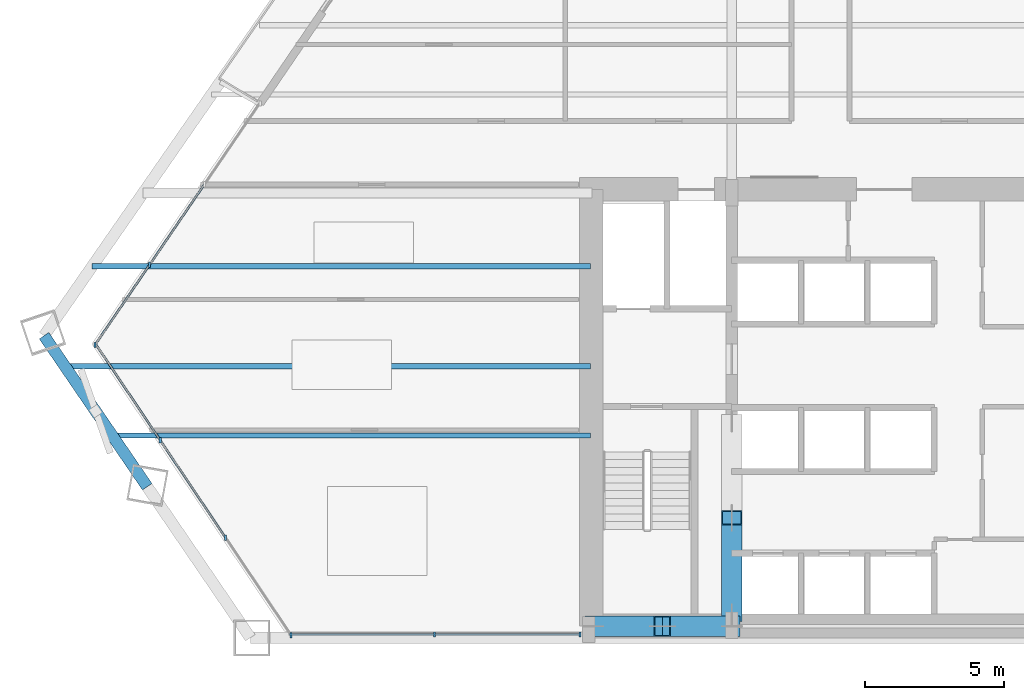
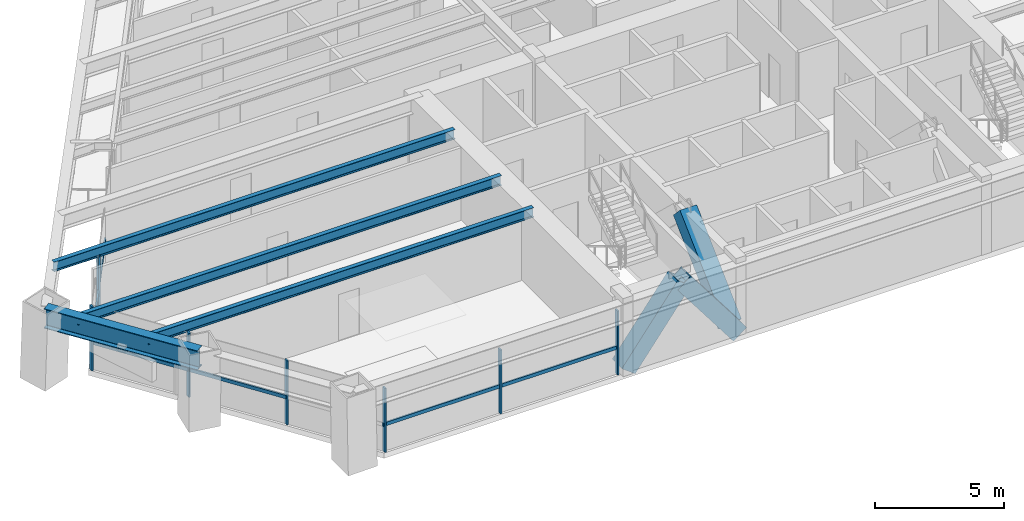
# One storey, part 2 of 14: 16 members, 4 beams, 3 elements without a shape of their own.
"""IFC4 building model written with IfcOpenShell, lengths in metres."""

from ifc_helpers import new_model, si_unit, direction, frame, origin, origin_2d, place, context, subcontext, project, spatial, rectangle, hollow_rectangle, i_section, extrude, source, transform, mapped, material, material_profile, profile_set, type_object, type_shapes, element, aggregate, save


model = new_model("IFC4")

# Units and contexts
model_context = context("Model", 3, precision=1e-05, world=origin(), true_north=direction((0.0, 1.0)))
body_context = subcontext(model_context, "Body", "Model", "MODEL_VIEW")
ifc_project = project(units=[si_unit("LENGTHUNIT", "METRE"), si_unit("AREAUNIT", "SQUARE_METRE"), si_unit("VOLUMEUNIT", "CUBIC_METRE"), si_unit("PLANEANGLEUNIT", "RADIAN"), si_unit("MASSUNIT", "GRAM", prefix="KILO")], contexts=[model_context])

# Site, building, storey
site_placement = place(None, origin())
site = spatial("IfcSite", under=ifc_project, at=site_placement, CompositionType="ELEMENT")
building_placement = place(site_placement, origin())
building = spatial("IfcBuilding", under=site, at=building_placement, Name="Varnakhor Terracotta Tower", CompositionType="ELEMENT")
storey_placement = place(building_placement, frame((0.0, 0.0, 46.0)))
storey = spatial("IfcBuildingStorey", under=building, at=storey_placement, Name="L10", CompositionType="ELEMENT", Elevation=46.0)

# Members
ifc_material_1 = material(Name="Steel S460", Category="steel")
ifc_material_profile_1 = material_profile(ifc_material_1, hollow_rectangle(XDim=0.75, YDim=0.75, WallThickness=0.044921875, at=origin_2d()), Name="HSS750X750X45")
ifc_profile_set_1 = profile_set([ifc_material_profile_1], Name="Steel S460")
member_type_1 = type_object("IfcMemberType", Name="MBR-MEGA-750", PredefinedType="BRACE", material=ifc_profile_set_1)
shared_shape_1 = source(origin(), body_context, "Body", "SweptSolid", [
    extrude(hollow_rectangle(XDim=0.75, YDim=0.75, WallThickness=0.044921875, at=origin_2d()), origin(), (0.0, 0.0, 1.0), 4.14013671875),
])
type_shapes(member_type_1, [shared_shape_1])
for number, where, z_axis, x_axis, name in (
    (1, (-10.5, 0.419921875, 0.0), (0.603852011179, 0.0, 0.797096448741), (0.0, 1.0, 0.0), "L10 Core Coupled Brace CSWA"),
    (2, (-5.5, 0.419921875, 0.0), (-0.603852011179, 0.0, 0.797096448741), (0.0, -1.0, 0.0), "L10 Core Coupled Brace CSWB"),
):
    element("IfcMember", number, at=place(storey_placement, frame(where, z_axis=z_axis, x_axis=x_axis)), inside=storey, type_object=member_type_1, Name=name, PredefinedType="BRACE", context=body_context, shape_type="MappedRepresentation", body=[
        mapped(shared_shape_1, transform((0.0, 0.0, 0.0), scale=1.0)),
    ])
shared_shape_2 = source(origin(), body_context, "Body", "SweptSolid", [
    extrude(hollow_rectangle(XDim=0.75, YDim=0.75, WallThickness=0.044921875, at=origin_2d()), origin(), (0.0, 0.0, 1.0), 4.792236328125),
])
member_1_placement = place(storey_placement, frame((-5.5, 0.85009765625, 0.0), z_axis=(0.0, 0.725110085518, 0.688632967466), x_axis=(-1.0, 0.0, 0.0)))
element("IfcMember", 3, at=member_1_placement, inside=storey, type_object=member_type_1, Name="L10 Core Coupled Brace CWWA", PredefinedType="BRACE", context=body_context, shape_type="MappedRepresentation", body=[
    mapped(shared_shape_2, transform((0.0, 0.0, 0.0), scale=1.0)),
])

# Beams
ifc_material_2 = material(Name="Steel S355", Category="steel")
ifc_material_profile_2 = material_profile(ifc_material_2, i_section(OverallWidth=0.41796875, OverallDepth=0.927001953125, WebThickness=0.01904296875, FlangeThickness=0.031982421875, FilletRadius=0.01806640625, at=origin_2d()), Name="W36X231")
ifc_profile_set_2 = profile_set([ifc_material_profile_2], Name="Steel S355")
beam_type_1 = type_object("IfcBeamType", Name="BM-W36X231", PredefinedType="BEAM", material=ifc_profile_set_2)
shared_shape_3 = source(origin(), body_context, "Body", "SweptSolid", [
    extrude(i_section(OverallWidth=0.41796875, OverallDepth=0.927001953125, WebThickness=0.01904296875, FlangeThickness=0.031982421875, FilletRadius=0.01806640625, at=origin_2d()), origin(), (0.0, 0.0, 1.0), 6.59912109375),
])
beam_1_placement = place(storey_placement, frame((-30.309814453125, 10.899169921875, 2.986572265625), z_axis=(0.563971491784, -0.825794257945, 0.0), x_axis=(0.825794257945, 0.563971491784, 0.0)))
element("IfcBeam", 4, at=beam_1_placement, inside=storey, type_object=beam_type_1, Name="L10 Perimeter Spandrel 7", PredefinedType="BEAM", context=body_context, shape_type="MappedRepresentation", body=[
    mapped(shared_shape_3, transform((0.0, 0.0, 0.0), scale=1.0)),
])
ifc_material_profile_3 = material_profile(ifc_material_2, i_section(OverallWidth=0.19189453125, OverallDepth=0.462890625, WebThickness=0.010498046875, FlangeThickness=0.017578125, FilletRadius=0.01806640625, at=origin_2d()), Name="W18X60")
ifc_profile_set_3 = profile_set([ifc_material_profile_3], Name="Steel S355")
beam_type_2 = type_object("IfcBeamType", Name="JST-W18X60", PredefinedType="JOIST", material=ifc_profile_set_3)
shared_shape_4 = source(origin(), body_context, "Body", "SweptSolid", [
    extrude(i_section(OverallWidth=0.19189453125, OverallDepth=0.462890625, WebThickness=0.010498046875, FlangeThickness=0.017578125, FilletRadius=0.01806640625, at=origin_2d()), origin(), (0.0, 0.0, 1.0), 17.251708984375),
])
beam_2_placement = place(storey_placement, frame((-27.851806640625, 7.300048828125, 3.218505859375), z_axis=(1.0, 0.0, 0.0), x_axis=(0.0, 1.0, 0.0)))
element("IfcBeam", 5, at=beam_2_placement, inside=storey, type_object=beam_type_2, Name="L10 Floor Joist W1", PredefinedType="JOIST", context=body_context, shape_type="MappedRepresentation", body=[
    mapped(shared_shape_4, transform((0.0, 0.0, 0.0), scale=1.0)),
])
shared_shape_5 = source(origin(), body_context, "Body", "SweptSolid", [
    extrude(i_section(OverallWidth=0.19189453125, OverallDepth=0.462890625, WebThickness=0.010498046875, FlangeThickness=0.017578125, FilletRadius=0.01806640625, at=origin_2d()), origin(), (0.0, 0.0, 1.0), 18.958984375),
])
beam_3_placement = place(storey_placement, frame((-29.55908203125, 9.800048828125, 3.218505859375), z_axis=(1.0, 0.0, 0.0), x_axis=(0.0, 1.0, 0.0)))
element("IfcBeam", 6, at=beam_3_placement, inside=storey, type_object=beam_type_2, Name="L10 Floor Joist W2", PredefinedType="JOIST", context=body_context, shape_type="MappedRepresentation", body=[
    mapped(shared_shape_5, transform((0.0, 0.0, 0.0), scale=1.0)),
])
shared_shape_6 = source(origin(), body_context, "Body", "SweptSolid", [
    extrude(i_section(OverallWidth=0.19189453125, OverallDepth=0.462890625, WebThickness=0.010498046875, FlangeThickness=0.017578125, FilletRadius=0.01806640625, at=origin_2d()), origin(), (0.0, 0.0, 1.0), 17.972900390625),
])
beam_4_placement = place(storey_placement, frame((-28.572998046875, 13.39990234375, 3.218505859375), z_axis=(1.0, 0.0, 0.0), x_axis=(0.0, 1.0, 0.0)))
element("IfcBeam", 7, at=beam_4_placement, inside=storey, type_object=beam_type_2, Name="L10 Floor Joist W3", PredefinedType="JOIST", context=body_context, shape_type="MappedRepresentation", body=[
    mapped(shared_shape_6, transform((0.0, 0.0, 0.0), scale=1.0)),
])

# Curtain wall, members
ifc_material_3 = material(Name="Anodised Aluminium Curtain Wall System", Category="aluminium")
curtain_wall_type = type_object("IfcCurtainWallType", Name="CW-SYS-LOW-OFFICE", PredefinedType="NOTDEFINED", material=ifc_material_3)
curtain_wall_1_placement = place(storey_placement, origin())
curtain_wall_1 = element("IfcCurtainWall", 8, at=curtain_wall_1_placement, inside=storey, type_object=curtain_wall_type, Name="L10 W Facet Curtain Wall 1", PredefinedType="NOTDEFINED")
ifc_material_4 = material(Name="Anodised Aluminium 6063-T6", Category="aluminium")
ifc_material_profile_4 = material_profile(ifc_material_4, rectangle(XDim=0.074951171875, YDim=0.18505859375, at=origin_2d()), Name="ALU MULLION 75x185")
ifc_profile_set_4 = profile_set([ifc_material_profile_4], Name="Anodised Aluminium 6063-T6")
member_type_2 = type_object("IfcMemberType", Name="CWM-02", PredefinedType="MULLION", material=ifc_profile_set_4)
shared_shape_7 = source(origin(), body_context, "Body", "SweptSolid", [
    extrude(rectangle(XDim=0.074951171875, YDim=0.18505859375, at=origin_2d()), origin(), (0.0, 0.0, 1.0), 3.030029296875),
])
type_shapes(member_type_2, [shared_shape_7])
member_2_placement = place(storey_placement, frame((-28.47802734375, 10.556396484375, 0.0), z_axis=(0.0, 0.0, 1.0), x_axis=(1.0, 0.0, 0.0)))
member_2 = element("IfcMember", 9, at=member_2_placement, type_object=member_type_2, Name="L10 W Facet Curtain Wall 1 Mullion 1", PredefinedType="MULLION", context=body_context, shape_type="MappedRepresentation", body=[
    mapped(shared_shape_7, transform((0.0, 0.0, 0.0), scale=1.0)),
])
member_3_placement = place(storey_placement, frame((-26.5, 13.45947265625, 0.0), z_axis=(0.0, 0.0, 1.0), x_axis=(1.0, 0.0, 0.0)))
member_3 = element("IfcMember", 10, at=member_3_placement, type_object=member_type_2, Name="L10 W Facet Curtain Wall 1 Mullion 2", PredefinedType="MULLION", context=body_context, shape_type="MappedRepresentation", body=[
    mapped(shared_shape_7, transform((0.0, 0.0, 0.0), scale=1.0)),
])

curtain_wall_2_placement = place(storey_placement, origin())
curtain_wall_2 = element("IfcCurtainWall", 11, at=curtain_wall_2_placement, inside=storey, type_object=curtain_wall_type, Name="L10 South Wing Curtain Wall SSW", PredefinedType="NOTDEFINED")
member_4_placement = place(storey_placement, frame((-10.969970703125, 0.1201171875, 0.0), z_axis=(0.0, 0.0, 1.0), x_axis=(1.0, 0.0, 0.0)))
member_4 = element("IfcMember", 12, at=member_4_placement, type_object=member_type_2, Name="L10 South Wing Curtain Wall SSW Mullion 1", PredefinedType="MULLION", context=body_context, shape_type="MappedRepresentation", body=[
    mapped(shared_shape_7, transform((0.0, 0.0, 0.0), scale=1.0)),
])
member_5_placement = place(storey_placement, frame((-16.219970703125, 0.1201171875, 0.0), z_axis=(0.0, 0.0, 1.0), x_axis=(1.0, 0.0, 0.0)))
member_5 = element("IfcMember", 13, at=member_5_placement, type_object=member_type_2, Name="L10 South Wing Curtain Wall SSW Mullion 2", PredefinedType="MULLION", context=body_context, shape_type="MappedRepresentation", body=[
    mapped(shared_shape_7, transform((0.0, 0.0, 0.0), scale=1.0)),
])

curtain_wall_3_placement = place(storey_placement, origin())
curtain_wall_3 = element("IfcCurtainWall", 14, at=curtain_wall_3_placement, inside=storey, type_object=curtain_wall_type, Name="L10 Facet Curtain Wall 6", PredefinedType="NOTDEFINED")
member_6_placement = place(storey_placement, frame((-21.39697265625, 0.091796875, 0.0), z_axis=(0.0, 0.0, 1.0), x_axis=(1.0, 0.0, 0.0)))
member_6 = element("IfcMember", 15, at=member_6_placement, type_object=member_type_2, Name="L10 Facet Curtain Wall 6 Mullion 1", PredefinedType="MULLION", context=body_context, shape_type="MappedRepresentation", body=[
    mapped(shared_shape_7, transform((0.0, 0.0, 0.0), scale=1.0)),
])
member_7_placement = place(storey_placement, frame((-23.757080078125, 3.608154296875, 0.0), z_axis=(0.0, 0.0, 1.0), x_axis=(1.0, 0.0, 0.0)))
member_7 = element("IfcMember", 16, at=member_7_placement, type_object=member_type_2, Name="L10 Facet Curtain Wall 6 Mullion 2", PredefinedType="MULLION", context=body_context, shape_type="MappedRepresentation", body=[
    mapped(shared_shape_7, transform((0.0, 0.0, 0.0), scale=1.0)),
])
member_8_placement = place(storey_placement, frame((-26.117431640625, 7.12451171875, 0.0), z_axis=(0.0, 0.0, 1.0), x_axis=(1.0, 0.0, 0.0)))
member_8 = element("IfcMember", 17, at=member_8_placement, type_object=member_type_2, Name="L10 Facet Curtain Wall 6 Mullion 3", PredefinedType="MULLION", context=body_context, shape_type="MappedRepresentation", body=[
    mapped(shared_shape_7, transform((0.0, 0.0, 0.0), scale=1.0)),
])

# Member
ifc_material_profile_5 = material_profile(ifc_material_4, rectangle(XDim=0.074951171875, YDim=0.1650390625, at=origin_2d()), Name="ALU TRANSOM 75x165")
ifc_profile_set_5 = profile_set([ifc_material_profile_5], Name="Anodised Aluminium 6063-T6")
member_type_3 = type_object("IfcMemberType", Name="CWT-02", PredefinedType="USERDEFINED", material=ifc_profile_set_5)
shared_shape_8 = source(origin(), body_context, "Body", "SweptSolid", [
    extrude(rectangle(XDim=0.074951171875, YDim=0.1650390625, at=origin_2d()), origin(), (0.0, 0.0, 1.0), 3.512939453125),
])
member_9_placement = place(storey_placement, frame((-28.47802734375, 10.556396484375, 1.272705078125), z_axis=(0.563075859055, 0.82640521353, 0.0), x_axis=(-0.82640521353, 0.563075859055, 0.0)))
member_9 = element("IfcMember", 18, at=member_9_placement, type_object=member_type_3, Name="L10 W Facet Curtain Wall 1 Transom 1", ObjectType="TRANSOM", PredefinedType="USERDEFINED", context=body_context, shape_type="MappedRepresentation", body=[
    mapped(shared_shape_8, transform((0.0, 0.0, 0.0), scale=1.0)),
])

member_10_placement = place(storey_placement, frame((-26.5, 13.45947265625, 1.272705078125), z_axis=(0.563075859055, 0.82640521353, 0.0), x_axis=(-0.82640521353, 0.563075859055, 0.0)))
member_10 = element("IfcMember", 19, at=member_10_placement, type_object=member_type_3, Name="L10 W Facet Curtain Wall 1 Transom 2", ObjectType="TRANSOM", PredefinedType="USERDEFINED", context=body_context, shape_type="MappedRepresentation", body=[
    mapped(shared_shape_8, transform((0.0, 0.0, 0.0), scale=1.0)),
])

aggregate(curtain_wall_1, [member_2, member_9, member_3, member_10])

shared_shape_9 = source(origin(), body_context, "Body", "SweptSolid", [
    extrude(rectangle(XDim=0.074951171875, YDim=0.1650390625, at=origin_2d()), origin(), (0.0, 0.0, 1.0), 5.25),
])
member_11_placement = place(storey_placement, frame((-10.969970703125, 0.1201171875, 1.272705078125), z_axis=(-1.0, 0.0, 0.0), x_axis=(0.0, -1.0, 0.0)))
member_11 = element("IfcMember", 20, at=member_11_placement, type_object=member_type_3, Name="L10 South Wing Curtain Wall SSW Transom 1", ObjectType="TRANSOM", PredefinedType="USERDEFINED", context=body_context, shape_type="MappedRepresentation", body=[
    mapped(shared_shape_9, transform((0.0, 0.0, 0.0), scale=1.0)),
])

shared_shape_10 = source(origin(), body_context, "Body", "SweptSolid", [
    extrude(rectangle(XDim=0.074951171875, YDim=0.1650390625, at=origin_2d()), origin(), (0.0, 0.0, 1.0), 5.249755859375),
])
member_12_placement = place(storey_placement, frame((-16.219970703125, 0.1201171875, 1.272705078125), z_axis=(-1.0, 0.0, 0.0), x_axis=(0.0, -1.0, 0.0)))
member_12 = element("IfcMember", 21, at=member_12_placement, type_object=member_type_3, Name="L10 South Wing Curtain Wall SSW Transom 2", ObjectType="TRANSOM", PredefinedType="USERDEFINED", context=body_context, shape_type="MappedRepresentation", body=[
    mapped(shared_shape_10, transform((0.0, 0.0, 0.0), scale=1.0)),
])

aggregate(curtain_wall_2, [member_4, member_11, member_5, member_12])

shared_shape_11 = source(origin(), body_context, "Body", "SweptSolid", [
    extrude(rectangle(XDim=0.074951171875, YDim=0.1650390625, at=origin_2d()), origin(), (0.0, 0.0, 1.0), 4.235107421875),
])
member_13_placement = place(storey_placement, frame((-23.757080078125, 3.608154296875, 1.272705078125), z_axis=(-0.557331442328, 0.83029010797, 0.0), x_axis=(-0.83029010797, -0.557331442328, 0.0)))
member_13 = element("IfcMember", 22, at=member_13_placement, type_object=member_type_3, Name="L10 Facet Curtain Wall 6 Transom 2", ObjectType="TRANSOM", PredefinedType="USERDEFINED", context=body_context, shape_type="MappedRepresentation", body=[
    mapped(shared_shape_11, transform((0.0, 0.0, 0.0), scale=1.0)),
])

shared_shape_12 = source(origin(), body_context, "Body", "SweptSolid", [
    extrude(rectangle(XDim=0.074951171875, YDim=0.1650390625, at=origin_2d()), origin(), (0.0, 0.0, 1.0), 4.2353515625),
])
member_14_placement = place(storey_placement, frame((-26.117431640625, 7.12451171875, 1.272705078125), z_axis=(-0.557304767342, 0.830308012907, 0.0), x_axis=(-0.830308012907, -0.557304767342, 0.0)))
member_14 = element("IfcMember", 23, at=member_14_placement, type_object=member_type_3, Name="L10 Facet Curtain Wall 6 Transom 3", ObjectType="TRANSOM", PredefinedType="USERDEFINED", context=body_context, shape_type="MappedRepresentation", body=[
    mapped(shared_shape_12, transform((0.0, 0.0, 0.0), scale=1.0)),
])

aggregate(curtain_wall_3, [member_6, member_7, member_13, member_8, member_14])

save(model, "model.ifc")
